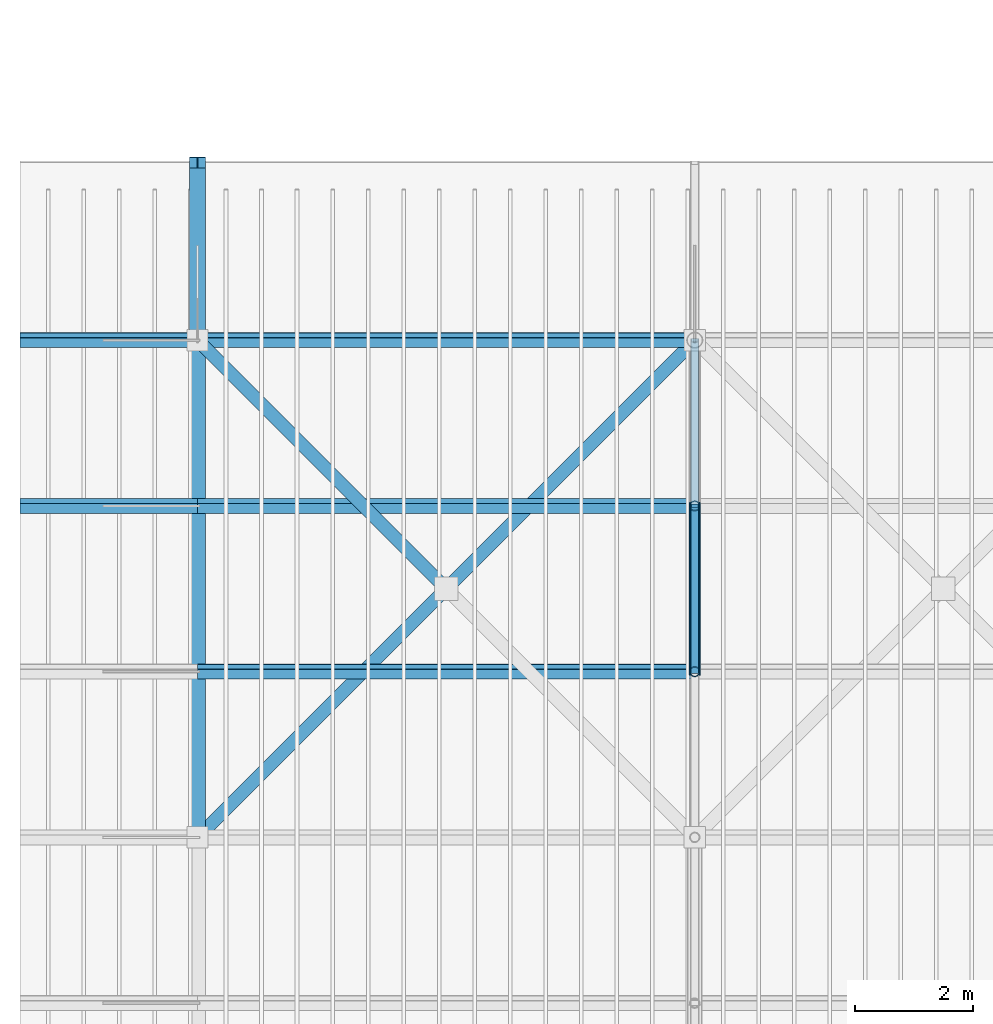
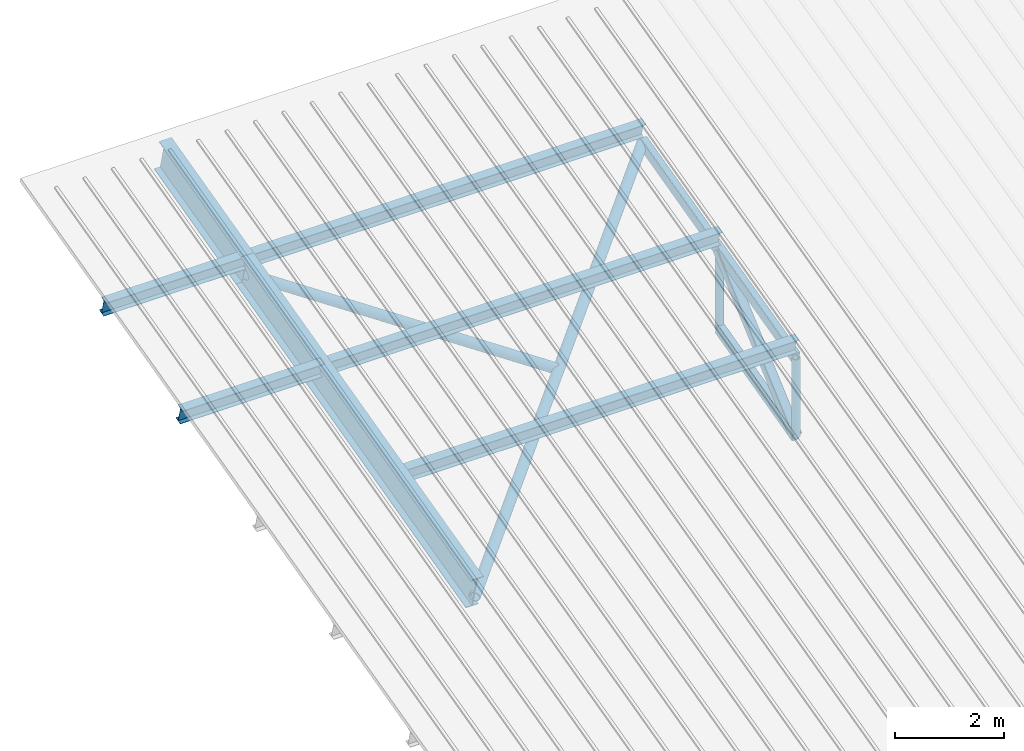
# One storey, part 11 of 114: 12 members, 2 beams.
"""IFC4 building model written with IfcOpenShell, lengths in metres."""

from ifc_helpers import new_model, si_unit, direction, frame, origin, origin_2d, place, context, subcontext, project, spatial, hollow_rectangle, hollow_circle, i_section, extrude, material, material_profile, profile_set, type_object, element, save


model = new_model("IFC4")

# Units and contexts
model_context = context("Model", 3, precision=1e-05, world=origin(), true_north=direction((0.0, 1.0)))
body_context = subcontext(model_context, "Body", "Model", "MODEL_VIEW")
ifc_project = project(units=[si_unit("LENGTHUNIT", "METRE"), si_unit("AREAUNIT", "SQUARE_METRE"), si_unit("VOLUMEUNIT", "CUBIC_METRE"), si_unit("PLANEANGLEUNIT", "RADIAN"), si_unit("MASSUNIT", "GRAM", prefix="KILO")], contexts=[model_context])

# Site, building, storey
site_placement = place(None, origin())
site = spatial("IfcSite", under=ifc_project, at=site_placement, CompositionType="ELEMENT")
building_placement = place(site_placement, origin())
building = spatial("IfcBuilding", under=site, at=building_placement, Name="Almond Square Museum", CompositionType="ELEMENT")
storey_placement = place(building_placement, frame((0.0, 0.0, 10.5)))
storey = spatial("IfcBuildingStorey", under=building, at=storey_placement, Name="L02", CompositionType="ELEMENT", Elevation=10.5)

# Beams
ifc_material_1 = material(Name="Structural steel S355", Category="steel")
ifc_material_profile_1 = material_profile(ifc_material_1, i_section(OverallWidth=0.26708984375, OverallDepth=0.75390625, WebThickness=0.01318359375, FlangeThickness=0.01708984375, at=origin_2d()))
ifc_profile_set_1 = profile_set([ifc_material_profile_1], Name="Structural steel S355")
beam_type = type_object("IfcBeamType", Name="Roof beam W760x147", PredefinedType="BEAM", material=ifc_profile_set_1)
beam_1_placement = place(storey_placement, frame((6.0, 100.800048828125, 7.0830078125), z_axis=(0.0, 0.969459128151, 0.24525292831), x_axis=(-1.0, 0.0, 0.0)))
element("IfcBeam", 1, at=beam_1_placement, inside=storey, type_object=beam_type, Name="Auditorium edge beam 1.4", PredefinedType="BEAM", context=body_context, shape_type="SweptSolid", body=[
    extrude(i_section(OverallWidth=0.26708984375, OverallDepth=0.75390625, WebThickness=0.01318359375, FlangeThickness=0.01708984375, at=origin_2d()), origin(), (0.0, 0.0, 1.0), 8.66455078125),
])
beam_2_placement = place(storey_placement, frame((6.0, 109.199951171875, 9.2080078125), z_axis=(0.0, 0.969470524151, 0.245207876714), x_axis=(-1.0, 0.0, 0.0)))
element("IfcBeam", 2, at=beam_2_placement, inside=storey, type_object=beam_type, Name="Auditorium north eave beam 1", PredefinedType="BEAM", context=body_context, shape_type="SweptSolid", body=[
    extrude(i_section(OverallWidth=0.26708984375, OverallDepth=0.75390625, WebThickness=0.01318359375, FlangeThickness=0.01708984375, at=origin_2d()), origin(), (0.0, 0.0, 1.0), 3.094482421875),
])

# Members
ifc_material_2 = material(Name="Structural steel S355", Category="steel")
ifc_material_profile_2 = material_profile(ifc_material_2, hollow_circle(Radius=0.109619140625, WallThickness=0.010009765625, at=origin_2d()))
ifc_profile_set_2 = profile_set([ifc_material_profile_2], Name="Structural steel S355")
member_type_1 = type_object("IfcMemberType", Name="Roof brace CHS 219.1x10", PredefinedType="BRACE", material=ifc_profile_set_2)
member_1_placement = place(storey_placement, frame((6.0, 100.800048828125, 6.9794921875), z_axis=(0.696057820864, 0.696057820864, 0.176088103029), x_axis=(-0.707106781187, 0.707106781187, 0.0)))
element("IfcMember", 3, at=member_1_placement, inside=storey, type_object=member_type_1, Name="Auditorium roof plan brace", PredefinedType="BRACE", context=body_context, shape_type="SweptSolid", body=[
    extrude(hollow_circle(Radius=0.109619140625, WallThickness=0.010009765625, at=origin_2d()), origin(), (0.0, 0.0, 1.0), 12.06787109375),
])
member_2_placement = place(storey_placement, frame((10.199951171875, 105.0, 8.0419921875), z_axis=(-0.696057820864, 0.696057820864, 0.176088103029), x_axis=(-0.707106781187, -0.707106781187, 0.0)))
element("IfcMember", 4, at=member_2_placement, inside=storey, type_object=member_type_1, Name="Auditorium roof plan brace", PredefinedType="BRACE", context=body_context, shape_type="SweptSolid", body=[
    extrude(hollow_circle(Radius=0.109619140625, WallThickness=0.010009765625, at=origin_2d()), origin(), (0.0, 0.0, 1.0), 6.033935546875),
])
ifc_material_3 = material(Name="Structural steel S355", Category="steel")
ifc_material_profile_3 = material_profile(ifc_material_3, i_section(OverallWidth=0.1708984375, OverallDepth=0.35595703125, WebThickness=0.00732421875, FlangeThickness=0.01171875, at=origin_2d()))
ifc_profile_set_3 = profile_set([ifc_material_profile_3], Name="Structural steel S355")
member_type_2 = type_object("IfcMemberType", Name="Steel purlin W360x51", PredefinedType="PURLIN", material=ifc_profile_set_3)
for number, where, z_axis, x_axis, name in (
    (5, (6.0, 103.60009765625, 7.99658203125), (1.0, 0.0, 0.0), (0.0, 0.969459905022, 0.245249857402), "Auditorium purlin 12.1"),
    (6, (6.0, 106.39990234375, 8.704833984375), (1.0, 0.0, 0.0), (0.0, 0.969459905022, 0.245249857402), "Auditorium purlin 13.1"),
    (7, (6.0, 109.199951171875, 9.4130859375), (1.0, 0.0, 0.0), (0.0, 0.969459905022, 0.245249857402), "Auditorium purlin 14.1"),
):
    element("IfcMember", number, at=place(storey_placement, frame(where, z_axis=z_axis, x_axis=x_axis)), inside=storey, type_object=member_type_2, Name=name, PredefinedType="PURLIN", context=body_context, shape_type="SweptSolid", body=[
        extrude(i_section(OverallWidth=0.1708984375, OverallDepth=0.35595703125, WebThickness=0.00732421875, FlangeThickness=0.01171875, at=origin_2d()), origin(), (0.0, 0.0, 1.0), 8.39990234375),
    ])
for number, where, z_axis, x_axis, name in (
    (8, (3.0, 106.39990234375, 8.704833984375), (1.0, 0.0, 0.0), (0.0, 0.969459905022, 0.245249857402), "Auditorium west eave purlin 13"),
    (9, (3.0, 109.199951171875, 9.4130859375), (1.0, 0.0, 0.0), (0.0, 0.969459905022, 0.245249857402), "Auditorium west eave purlin 14"),
):
    element("IfcMember", number, at=place(storey_placement, frame(where, z_axis=z_axis, x_axis=x_axis)), inside=storey, type_object=member_type_2, Name=name, PredefinedType="PURLIN", context=body_context, shape_type="SweptSolid", body=[
        extrude(i_section(OverallWidth=0.1708984375, OverallDepth=0.35595703125, WebThickness=0.00732421875, FlangeThickness=0.01171875, at=origin_2d()), origin(), (0.0, 0.0, 1.0), 3.0),
    ])
ifc_material_4 = material(Name="Structural steel S355", Category="steel")
ifc_material_profile_4 = material_profile(ifc_material_4, hollow_rectangle(XDim=0.14990234375, YDim=0.25, WallThickness=0.010009765625, InnerFilletRadius=0.014892578125, OuterFilletRadius=0.02490234375, at=origin_2d()))
ifc_profile_set_4 = profile_set([ifc_material_profile_4], Name="Structural steel S355")
member_type_3 = type_object("IfcMemberType", Name="Truss chord RHS 250x150x10", PredefinedType="CHORD", material=ifc_profile_set_4)
member_3_placement = place(storey_placement, frame((14.39990234375, 103.60009765625, 7.68798828125), z_axis=(0.0, 0.969464980033, 0.245229795272), x_axis=(-1.0, 0.0, 0.0)))
element("IfcMember", 10, at=member_3_placement, inside=storey, type_object=member_type_3, Name="TR-13 top chord 11 to 12", PredefinedType="CHORD", context=body_context, shape_type="SweptSolid", body=[
    extrude(hollow_rectangle(XDim=0.14990234375, YDim=0.25, WallThickness=0.010009765625, InnerFilletRadius=0.014892578125, OuterFilletRadius=0.02490234375, at=origin_2d()), origin(), (0.0, 0.0, 1.0), 5.776123046875),
])
member_4_placement = place(storey_placement, frame((14.39990234375, 103.60009765625, 5.93798828125), z_axis=(0.0, 0.969462438073, 0.245239844162), x_axis=(-1.0, 0.0, 0.0)))
element("IfcMember", 11, at=member_4_placement, inside=storey, type_object=member_type_3, Name="TR-13 bottom chord 11", PredefinedType="CHORD", context=body_context, shape_type="SweptSolid", body=[
    extrude(hollow_rectangle(XDim=0.14990234375, YDim=0.25, WallThickness=0.010009765625, InnerFilletRadius=0.014892578125, OuterFilletRadius=0.02490234375, at=origin_2d()), origin(), (0.0, 0.0, 1.0), 2.887939453125),
])
ifc_material_5 = material(Name="Structural steel S355", Category="steel")
ifc_material_profile_5 = material_profile(ifc_material_5, hollow_rectangle(XDim=0.199951171875, YDim=0.199951171875, WallThickness=0.010009765625, InnerFilletRadius=0.014892578125, OuterFilletRadius=0.02490234375, at=origin_2d()))
ifc_profile_set_5 = profile_set([ifc_material_profile_5], Name="Structural steel S355")
member_type_4 = type_object("IfcMemberType", Name="Truss diagonal SHS 200x200x10", PredefinedType="BRACE", material=ifc_profile_set_5)
member_5_placement = place(storey_placement, frame((14.39990234375, 103.60009765625, 5.93798828125), z_axis=(0.0, 0.75145528027, 0.659784026599), x_axis=(-1.0, 0.0, 0.0)))
element("IfcMember", 12, at=member_5_placement, inside=storey, type_object=member_type_4, Name="TR-13 diagonal 11", PredefinedType="BRACE", context=body_context, shape_type="SweptSolid", body=[
    extrude(hollow_rectangle(XDim=0.199951171875, YDim=0.199951171875, WallThickness=0.010009765625, InnerFilletRadius=0.014892578125, OuterFilletRadius=0.02490234375, at=origin_2d()), origin(), (0.0, 0.0, 1.0), 3.725830078125),
])
ifc_material_6 = material(Name="Structural steel S355", Category="steel")
ifc_material_profile_6 = material_profile(ifc_material_6, hollow_circle(Radius=0.084228515625, WallThickness=0.008056640625, at=origin_2d()))
ifc_profile_set_6 = profile_set([ifc_material_profile_6], Name="Structural steel S355")
member_type_5 = type_object("IfcMemberType", Name="Truss post CHS 168.3x8", PredefinedType="POST", material=ifc_profile_set_6)
for number, where, z_axis, x_axis, name in (
    (13, (14.39990234375, 103.60009765625, 5.93798828125), (0.0, 0.0, 1.0), (1.0, 0.0, 0.0), "TR-13 post 11"),
    (14, (14.39990234375, 106.39990234375, 6.646240234375), (0.0, 0.0, 1.0), (1.0, 0.0, 0.0), "TR-13 post 12"),
):
    element("IfcMember", number, at=place(storey_placement, frame(where, z_axis=z_axis, x_axis=x_axis)), inside=storey, type_object=member_type_5, Name=name, PredefinedType="POST", context=body_context, shape_type="SweptSolid", body=[
        extrude(hollow_circle(Radius=0.084228515625, WallThickness=0.008056640625, at=origin_2d()), origin(), (0.0, 0.0, 1.0), 1.75),
    ])

save(model, "model.ifc")
